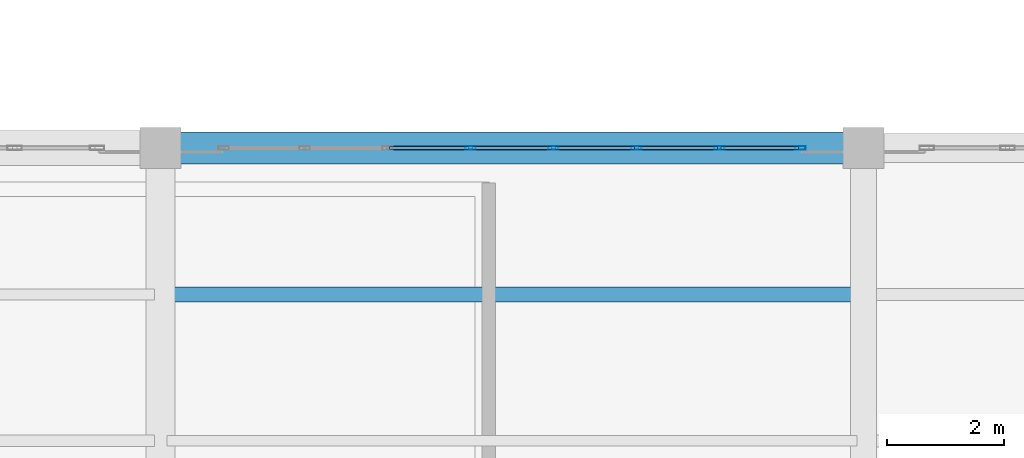
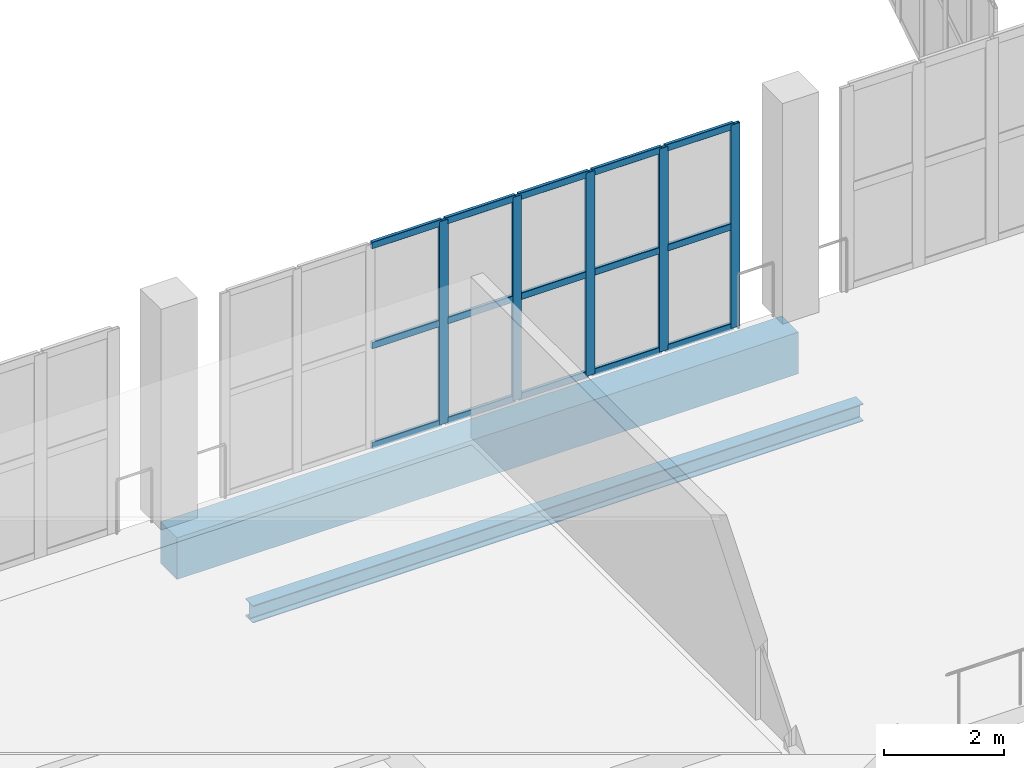
# One storey, part 20 of 108: 20 members, 2 beams, 1 element without a shape of its own.
"""IFC4 building model written with IfcOpenShell, lengths in metres."""

import ifcopenshell
import ifcopenshell.guid

model = None  # the IFC model being written
_history = None  # IfcOwnerHistory: only IFC2X3 demands one
_inside = {}  # id of a spatial element -> (the spatial element, [elements in it])
_under = {}  # id of a project, library or spatial element -> (it, [spatial elements below it])
_declared = {}  # id of a project -> (the project, [libraries it declares])
_typed = {}  # id of a type object -> (the type object, [elements of that type])
_made_of = {}  # id of a material, layer set ... -> (it, [elements and type objects made of it])


def new_model(schema):
    """Start an empty IFC model of exactly this schema.

    Asked for "IFC4X3", IfcOpenShell would pick the latest addendum, in which some entities
    have other attributes; the version numbers below select the first issue.
    IFC2X3 requires an IfcOwnerHistory on every rooted entity: one is made here for all.
    """
    global model, _history
    if schema == "IFC4X3":
        model = ifcopenshell.file(schema_version=(4, 3, 0, 0))
    else:
        model = ifcopenshell.file(schema=schema)
    _inside.clear()
    _under.clear()
    _declared.clear()
    _typed.clear()
    _made_of.clear()
    _history = None
    if model.schema == "IFC2X3":
        org = make("IfcOrganization", Name="unknown")
        user = make(
            "IfcPersonAndOrganization",
            ThePerson=make("IfcPerson", FamilyName="unknown"),
            TheOrganization=org,
        )
        app = make(
            "IfcApplication",
            ApplicationDeveloper=org,
            Version="unknown",
            ApplicationFullName="unknown",
            ApplicationIdentifier="unknown",
        )
        _history = make(
            "IfcOwnerHistory",
            OwningUser=user,
            OwningApplication=app,
            ChangeAction="ADDED",
            CreationDate=0,
        )
    return model


def make(cls, **values):
    """One entity of the class cls with the attributes given. An attribute that is None is left unset."""
    return model.create_entity(
        cls, **{name: value for name, value in values.items() if value is not None}
    )


def rooted(cls, **values):
    """An entity with a GlobalId (a new one), such as an element, a storey or a relation."""
    return make(cls, GlobalId=ifcopenshell.guid.new(), OwnerHistory=_history, **values)


def si_unit(unit_type, name, prefix=None):
    """IfcSIUnit, for example si_unit("LENGTHUNIT", "METRE", prefix="MILLI")."""
    return make("IfcSIUnit", UnitType=unit_type, Prefix=prefix, Name=name)


def assignment(units):
    """IfcUnitAssignment: the units of a project."""
    return None if units is None else make("IfcUnitAssignment", Units=units)


def point(xyz):
    """IfcCartesianPoint."""
    return None if xyz is None else make("IfcCartesianPoint", Coordinates=xyz)


def direction(xyz):
    """IfcDirection."""
    return None if xyz is None else make("IfcDirection", DirectionRatios=xyz)


def frame(location, z_axis=None, x_axis=None):
    """IfcAxis2Placement3D, a coordinate frame: its origin and axes. An axis left out is left unset."""
    return make(
        "IfcAxis2Placement3D",
        Location=point(location),
        Axis=direction(z_axis),
        RefDirection=direction(x_axis),
    )


def frame_2d(location, x_axis=None):
    """IfcAxis2Placement2D, a coordinate frame in the plane: its origin and x axis."""
    return make(
        "IfcAxis2Placement2D", Location=point(location), RefDirection=direction(x_axis)
    )


def origin():
    """The frame at (0, 0, 0) with its axes left unset."""
    return frame((0.0, 0.0, 0.0))


def origin_2d():
    """The frame at (0, 0) in the plane with its x axis left unset."""
    return frame_2d((0.0, 0.0))


def place(relative_to, where):
    """IfcLocalPlacement: puts the frame where relative to a parent placement (None: the world)."""
    return make(
        "IfcLocalPlacement", PlacementRelTo=relative_to, RelativePlacement=where
    )


def context(
    kind, dimensions, precision=None, world=None, true_north=None, identifier=None
):
    """IfcGeometricRepresentationContext, for example the 3D "Model" context."""
    return make(
        "IfcGeometricRepresentationContext",
        ContextIdentifier=identifier,
        ContextType=kind,
        CoordinateSpaceDimension=dimensions,
        Precision=precision,
        WorldCoordinateSystem=world,
        TrueNorth=true_north,
    )


def subcontext(parent, identifier, kind, view, scale=None):
    """IfcGeometricRepresentationSubContext, for example "Body" below "Model"."""
    return make(
        "IfcGeometricRepresentationSubContext",
        ContextIdentifier=identifier,
        ContextType=kind,
        ParentContext=parent,
        TargetScale=scale,
        TargetView=view,
    )


def project(units=None, contexts=None):
    """IfcProject with its units and contexts."""
    return rooted(
        "IfcProject",
        Name="project",
        RepresentationContexts=contexts,
        UnitsInContext=assignment(units),
    )


def spatial(cls, under=None, at=None, **own):
    """A site, building, storey or space (cls), placed at a placement, below another one or the project."""
    s = rooted(cls, ObjectPlacement=at, **own)
    if under is not None:
        _under.setdefault(under.id(), (under, []))[1].append(s)
    return s


def profile(cls, at=None, kind="AREA", **sizes):
    """A parametric profile (cls). Its sizes go by their IFC names, for example OverallWidth=200.0."""
    return make(cls, ProfileType=kind, Position=at, **sizes)


def rectangle(**sizes):
    """IfcRectangleProfileDef."""
    return profile("IfcRectangleProfileDef", **sizes)


def hollow_rectangle(**sizes):
    """IfcRectangleHollowProfileDef."""
    return profile("IfcRectangleHollowProfileDef", **sizes)


def i_section(**sizes):
    """IfcIShapeProfileDef."""
    return profile("IfcIShapeProfileDef", **sizes)


def extrude(swept, where, along, depth):
    """IfcExtrudedAreaSolid: the profile swept, set in the frame where, extruded along a direction by depth."""
    return make(
        "IfcExtrudedAreaSolid",
        SweptArea=swept,
        Position=where,
        ExtrudedDirection=direction(along),
        Depth=depth,
    )


def shape(context_of_items, identifier, shape_type, items):
    """IfcShapeRepresentation: the items that make up one representation, for example the "Body"."""
    return make(
        "IfcShapeRepresentation",
        ContextOfItems=context_of_items,
        RepresentationIdentifier=identifier,
        RepresentationType=shape_type,
        Items=items,
    )


def material(Name=None, Category=None):
    """IfcMaterial."""
    return make("IfcMaterial", Name=Name, Category=Category)


def layer(
    of_material, thickness, ventilated=None, Name=None, Category=None, Priority=None
):
    """IfcMaterialLayer: one layer of a wall or slab, of a material (None: an air gap)."""
    return make(
        "IfcMaterialLayer",
        Material=of_material,
        LayerThickness=thickness,
        IsVentilated=ventilated,
        Name=Name,
        Category=Category,
        Priority=Priority,
    )


def layer_set(layers, Name=None):
    """IfcMaterialLayerSet."""
    return make("IfcMaterialLayerSet", MaterialLayers=layers, LayerSetName=Name)


def material_profile(
    of_material, cross_section, Name=None, Category=None, Priority=None
):
    """IfcMaterialProfile: a cross section and its material."""
    return make(
        "IfcMaterialProfile",
        Name=Name,
        Material=of_material,
        Profile=cross_section,
        Priority=Priority,
        Category=Category,
    )


def profile_set(profiles, Name=None, composite=None):
    """IfcMaterialProfileSet."""
    return make(
        "IfcMaterialProfileSet",
        Name=Name,
        MaterialProfiles=profiles,
        CompositeProfile=composite,
    )


def made_of(thing, what):
    """Note that an element or type object is made of a material, layer set ...; save() writes the relation."""
    if what is not None:
        _made_of.setdefault(what.id(), (what, []))[1].append(thing)
    return thing


def type_object(cls, material=None, **own):
    """A type object (cls), such as IfcWallType, which elements share."""
    return made_of(rooted(cls, **own), material)


def element(
    cls,
    number,
    at=None,
    inside=None,
    cuts=None,
    type_object=None,
    material=None,
    context=None,
    identifier="Body",
    shape_type=None,
    held_by="IfcProductDefinitionShape",
    body=None,
    shapes=None,
    **own,
):
    """One element of the class cls, such as IfcWall. Its Tag is "e" and its number.

    at: its placement. inside: the storey or other place that contains it. cuts: it is an
    opening in that element (IfcRelVoidsElement). A single representation is given by context,
    identifier, shape_type and body (its items); several are given by shapes. held_by: the class
    of the entity that holds the representations. save() writes the other relations.
    """
    e = rooted(cls, Tag="e%d" % number, ObjectPlacement=at, **own)
    if body is not None:
        shapes = [shape(context, identifier, shape_type, body)]
    if shapes is not None:
        e.Representation = make(held_by, Representations=shapes)
    if inside is not None:
        _inside.setdefault(inside.id(), (inside, []))[1].append(e)
    if cuts is not None:
        rooted(
            "IfcRelVoidsElement", RelatingBuildingElement=cuts, RelatedOpeningElement=e
        )
    if type_object is not None:
        _typed.setdefault(type_object.id(), (type_object, []))[1].append(e)
    return made_of(e, material)


def aggregate(whole, parts):
    """IfcRelAggregates: a whole, such as a stair, and the parts it consists of."""
    return rooted("IfcRelAggregates", RelatingObject=whole, RelatedObjects=parts)


def save(model, path):
    """Write the relations noted so far, then the file.

    IfcRelAggregates (storeys below a building ...), IfcRelContainedInSpatialStructure (elements
    in a storey), IfcRelDefinesByType, IfcRelAssociatesMaterial and IfcRelDeclares: one each for
    every whole, place, type object, material and project.
    """
    for whole, parts in _under.values():
        aggregate(whole, parts)
    for where, things in _inside.values():
        rooted(
            "IfcRelContainedInSpatialStructure",
            RelatedElements=things,
            RelatingStructure=where,
        )
    for kind, things in _typed.values():
        rooted("IfcRelDefinesByType", RelatedObjects=things, RelatingType=kind)
    for what, things in _made_of.values():
        rooted("IfcRelAssociatesMaterial", RelatedObjects=things, RelatingMaterial=what)
    for by, libraries in _declared.values():
        rooted("IfcRelDeclares", RelatingContext=by, RelatedDefinitions=libraries)
    model.write(path)


model = new_model("IFC4")

# Units and contexts
model_context = context("Model", 3, precision=1e-05, world=origin(), true_north=direction((0.0, 1.0)))
body_context = subcontext(model_context, "Body", "Model", "MODEL_VIEW")
ifc_project = project(units=[si_unit("LENGTHUNIT", "METRE"), si_unit("AREAUNIT", "SQUARE_METRE"), si_unit("VOLUMEUNIT", "CUBIC_METRE"), si_unit("PLANEANGLEUNIT", "RADIAN"), si_unit("MASSUNIT", "GRAM", prefix="KILO")], contexts=[model_context])

# Site, building, storey
site_placement = place(None, origin())
site = spatial("IfcSite", under=ifc_project, at=site_placement, CompositionType="ELEMENT")
building_placement = place(site_placement, origin())
building = spatial("IfcBuilding", under=site, at=building_placement, Name="Brinegate Civic Arena", CompositionType="ELEMENT")
storey_placement = place(building_placement, frame((0.0, 0.0, 10.199951171875)))
storey = spatial("IfcBuildingStorey", under=building, at=storey_placement, Name="L02", CompositionType="ELEMENT", Elevation=10.199951171875)

# Curtain wall, members
ifc_material_1 = material(Name="Marine grade aluminium", Category="aluminium")
ifc_layer = layer(ifc_material_1, 0.18505859375, Name="Marine grade aluminium")
ifc_layer_set = layer_set([ifc_layer], Name="Marine grade aluminium")
curtain_wall_type = type_object("IfcCurtainWallType", Name="CW-WING-GLAZED-03", PredefinedType="USERDEFINED", material=ifc_layer_set)
curtain_wall_placement = place(storey_placement, origin())
curtain_wall = element("IfcCurtainWall", 1, at=curtain_wall_placement, inside=storey, type_object=curtain_wall_type, Name="Curtain Wall CWA-022", ObjectType="GLAZED CURTAIN WALL", PredefinedType="USERDEFINED")
ifc_material_profile_1 = material_profile(ifc_material_1, hollow_rectangle(XDim=0.06494140625, YDim=0.179931640625, WallThickness=0.0048828125, InnerFilletRadius=0.00390625, OuterFilletRadius=0.008056640625, at=origin_2d()), Name="MUL65X180")
ifc_profile_set_1 = profile_set([ifc_material_profile_1], Name="Marine grade aluminium")
member_type_1 = type_object("IfcMemberType", Name="CW-MULLION-65X180", PredefinedType="MULLION", material=ifc_profile_set_1)
member_1_placement = place(storey_placement, frame((17.292236328125, 52.0, 0.0), z_axis=(0.0, 0.0, 1.0), x_axis=(0.0, 1.0, 0.0)))
member_1 = element("IfcMember", 2, at=member_1_placement, type_object=member_type_1, Name="CWA-022 mullion 4", PredefinedType="MULLION", context=body_context, shape_type="SweptSolid", body=[
    extrude(hollow_rectangle(XDim=0.06494140625, YDim=0.179931640625, WallThickness=0.0048828125, InnerFilletRadius=0.00390625, OuterFilletRadius=0.008056640625, at=origin_2d()), origin(), (0.0, 0.0, 1.0), 4.150146484375),
])
member_2_placement = place(storey_placement, frame((18.707763671875, 52.0, 0.0), z_axis=(0.0, 0.0, 1.0), x_axis=(0.0, 1.0, 0.0)))
member_2 = element("IfcMember", 3, at=member_2_placement, type_object=member_type_1, Name="CWA-022 mullion 5", PredefinedType="MULLION", context=body_context, shape_type="SweptSolid", body=[
    extrude(hollow_rectangle(XDim=0.06494140625, YDim=0.179931640625, WallThickness=0.0048828125, InnerFilletRadius=0.00390625, OuterFilletRadius=0.008056640625, at=origin_2d()), origin(), (0.0, 0.0, 1.0), 4.150146484375),
])
member_3_placement = place(storey_placement, frame((20.12353515625, 52.0, 0.0), z_axis=(0.0, 0.0, 1.0), x_axis=(0.0, 1.0, 0.0)))
member_3 = element("IfcMember", 4, at=member_3_placement, type_object=member_type_1, Name="CWA-022 mullion 6", PredefinedType="MULLION", context=body_context, shape_type="SweptSolid", body=[
    extrude(hollow_rectangle(XDim=0.06494140625, YDim=0.179931640625, WallThickness=0.0048828125, InnerFilletRadius=0.00390625, OuterFilletRadius=0.008056640625, at=origin_2d()), origin(), (0.0, 0.0, 1.0), 4.150146484375),
])
member_4_placement = place(storey_placement, frame((21.539306640625, 52.0, 0.0), z_axis=(0.0, 0.0, 1.0), x_axis=(0.0, 1.0, 0.0)))
member_4 = element("IfcMember", 5, at=member_4_placement, type_object=member_type_1, Name="CWA-022 mullion 7", PredefinedType="MULLION", context=body_context, shape_type="SweptSolid", body=[
    extrude(hollow_rectangle(XDim=0.06494140625, YDim=0.179931640625, WallThickness=0.0048828125, InnerFilletRadius=0.00390625, OuterFilletRadius=0.008056640625, at=origin_2d()), origin(), (0.0, 0.0, 1.0), 4.150146484375),
])
member_5_placement = place(storey_placement, frame((22.922607421875, 52.0, 0.0), z_axis=(0.0, 0.0, 1.0), x_axis=(0.0, 1.0, 0.0)))
member_5 = element("IfcMember", 6, at=member_5_placement, type_object=member_type_1, Name="CWA-022 mullion 8", PredefinedType="MULLION", context=body_context, shape_type="SweptSolid", body=[
    extrude(hollow_rectangle(XDim=0.06494140625, YDim=0.179931640625, WallThickness=0.0048828125, InnerFilletRadius=0.00390625, OuterFilletRadius=0.008056640625, at=origin_2d()), origin(), (0.0, 0.0, 1.0), 4.150146484375),
])
ifc_material_profile_2 = material_profile(ifc_material_1, hollow_rectangle(XDim=0.06494140625, YDim=0.139892578125, WallThickness=0.0048828125, InnerFilletRadius=0.00390625, OuterFilletRadius=0.008056640625, at=origin_2d()), Name="TRN65X140")
ifc_profile_set_2 = profile_set([ifc_material_profile_2], Name="Marine grade aluminium")
member_type_2 = type_object("IfcMemberType", Name="CW-TRANSOM-65X140", PredefinedType="USERDEFINED", material=ifc_profile_set_2)
member_6_placement = place(storey_placement, frame((15.908935546875, 52.0, 0.032470703125), z_axis=(1.0, 0.0, 0.0), x_axis=(0.0, 1.0, 0.0)))
member_6 = element("IfcMember", 7, at=member_6_placement, type_object=member_type_2, Name="CWA-022 transom 3.1", ObjectType="TRANSOM", PredefinedType="USERDEFINED", context=body_context, shape_type="SweptSolid", body=[
    extrude(hollow_rectangle(XDim=0.06494140625, YDim=0.139892578125, WallThickness=0.0048828125, InnerFilletRadius=0.00390625, OuterFilletRadius=0.008056640625, at=origin_2d()), origin(), (0.0, 0.0, 1.0), 1.3505859375),
])
member_7_placement = place(storey_placement, frame((15.908935546875, 52.0, 2.074951171875), z_axis=(1.0, 0.0, 0.0), x_axis=(0.0, 1.0, 0.0)))
member_7 = element("IfcMember", 8, at=member_7_placement, type_object=member_type_2, Name="CWA-022 transom 3.2", ObjectType="TRANSOM", PredefinedType="USERDEFINED", context=body_context, shape_type="SweptSolid", body=[
    extrude(hollow_rectangle(XDim=0.06494140625, YDim=0.139892578125, WallThickness=0.0048828125, InnerFilletRadius=0.00390625, OuterFilletRadius=0.008056640625, at=origin_2d()), origin(), (0.0, 0.0, 1.0), 1.3505859375),
])
member_8_placement = place(storey_placement, frame((15.908935546875, 52.0, 4.117431640625), z_axis=(1.0, 0.0, 0.0), x_axis=(0.0, 1.0, 0.0)))
member_8 = element("IfcMember", 9, at=member_8_placement, type_object=member_type_2, Name="CWA-022 transom 3.3", ObjectType="TRANSOM", PredefinedType="USERDEFINED", context=body_context, shape_type="SweptSolid", body=[
    extrude(hollow_rectangle(XDim=0.06494140625, YDim=0.139892578125, WallThickness=0.0048828125, InnerFilletRadius=0.00390625, OuterFilletRadius=0.008056640625, at=origin_2d()), origin(), (0.0, 0.0, 1.0), 1.3505859375),
])
member_9_placement = place(storey_placement, frame((17.32470703125, 52.0, 0.032470703125), z_axis=(1.0, 0.0, 0.0), x_axis=(0.0, 1.0, 0.0)))
member_9 = element("IfcMember", 10, at=member_9_placement, type_object=member_type_2, Name="CWA-022 transom 4.1", ObjectType="TRANSOM", PredefinedType="USERDEFINED", context=body_context, shape_type="SweptSolid", body=[
    extrude(hollow_rectangle(XDim=0.06494140625, YDim=0.139892578125, WallThickness=0.0048828125, InnerFilletRadius=0.00390625, OuterFilletRadius=0.008056640625, at=origin_2d()), origin(), (0.0, 0.0, 1.0), 1.3505859375),
])
member_10_placement = place(storey_placement, frame((17.32470703125, 52.0, 2.074951171875), z_axis=(1.0, 0.0, 0.0), x_axis=(0.0, 1.0, 0.0)))
member_10 = element("IfcMember", 11, at=member_10_placement, type_object=member_type_2, Name="CWA-022 transom 4.2", ObjectType="TRANSOM", PredefinedType="USERDEFINED", context=body_context, shape_type="SweptSolid", body=[
    extrude(hollow_rectangle(XDim=0.06494140625, YDim=0.139892578125, WallThickness=0.0048828125, InnerFilletRadius=0.00390625, OuterFilletRadius=0.008056640625, at=origin_2d()), origin(), (0.0, 0.0, 1.0), 1.3505859375),
])
member_11_placement = place(storey_placement, frame((17.32470703125, 52.0, 4.117431640625), z_axis=(1.0, 0.0, 0.0), x_axis=(0.0, 1.0, 0.0)))
member_11 = element("IfcMember", 12, at=member_11_placement, type_object=member_type_2, Name="CWA-022 transom 4.3", ObjectType="TRANSOM", PredefinedType="USERDEFINED", context=body_context, shape_type="SweptSolid", body=[
    extrude(hollow_rectangle(XDim=0.06494140625, YDim=0.139892578125, WallThickness=0.0048828125, InnerFilletRadius=0.00390625, OuterFilletRadius=0.008056640625, at=origin_2d()), origin(), (0.0, 0.0, 1.0), 1.3505859375),
])
member_12_placement = place(storey_placement, frame((18.740478515625, 52.0, 0.032470703125), z_axis=(1.0, 0.0, 0.0), x_axis=(0.0, 1.0, 0.0)))
member_12 = element("IfcMember", 13, at=member_12_placement, type_object=member_type_2, Name="CWA-022 transom 5.1", ObjectType="TRANSOM", PredefinedType="USERDEFINED", context=body_context, shape_type="SweptSolid", body=[
    extrude(hollow_rectangle(XDim=0.06494140625, YDim=0.139892578125, WallThickness=0.0048828125, InnerFilletRadius=0.00390625, OuterFilletRadius=0.008056640625, at=origin_2d()), origin(), (0.0, 0.0, 1.0), 1.3505859375),
])
member_13_placement = place(storey_placement, frame((18.740478515625, 52.0, 2.074951171875), z_axis=(1.0, 0.0, 0.0), x_axis=(0.0, 1.0, 0.0)))
member_13 = element("IfcMember", 14, at=member_13_placement, type_object=member_type_2, Name="CWA-022 transom 5.2", ObjectType="TRANSOM", PredefinedType="USERDEFINED", context=body_context, shape_type="SweptSolid", body=[
    extrude(hollow_rectangle(XDim=0.06494140625, YDim=0.139892578125, WallThickness=0.0048828125, InnerFilletRadius=0.00390625, OuterFilletRadius=0.008056640625, at=origin_2d()), origin(), (0.0, 0.0, 1.0), 1.3505859375),
])
member_14_placement = place(storey_placement, frame((18.740478515625, 52.0, 4.117431640625), z_axis=(1.0, 0.0, 0.0), x_axis=(0.0, 1.0, 0.0)))
member_14 = element("IfcMember", 15, at=member_14_placement, type_object=member_type_2, Name="CWA-022 transom 5.3", ObjectType="TRANSOM", PredefinedType="USERDEFINED", context=body_context, shape_type="SweptSolid", body=[
    extrude(hollow_rectangle(XDim=0.06494140625, YDim=0.139892578125, WallThickness=0.0048828125, InnerFilletRadius=0.00390625, OuterFilletRadius=0.008056640625, at=origin_2d()), origin(), (0.0, 0.0, 1.0), 1.3505859375),
])
member_15_placement = place(storey_placement, frame((20.156005859375, 52.0, 0.032470703125), z_axis=(1.0, 0.0, 0.0), x_axis=(0.0, 1.0, 0.0)))
member_15 = element("IfcMember", 16, at=member_15_placement, type_object=member_type_2, Name="CWA-022 transom 6.1", ObjectType="TRANSOM", PredefinedType="USERDEFINED", context=body_context, shape_type="SweptSolid", body=[
    extrude(hollow_rectangle(XDim=0.06494140625, YDim=0.139892578125, WallThickness=0.0048828125, InnerFilletRadius=0.00390625, OuterFilletRadius=0.008056640625, at=origin_2d()), origin(), (0.0, 0.0, 1.0), 1.350830078125),
])
member_16_placement = place(storey_placement, frame((20.156005859375, 52.0, 2.074951171875), z_axis=(1.0, 0.0, 0.0), x_axis=(0.0, 1.0, 0.0)))
member_16 = element("IfcMember", 17, at=member_16_placement, type_object=member_type_2, Name="CWA-022 transom 6.2", ObjectType="TRANSOM", PredefinedType="USERDEFINED", context=body_context, shape_type="SweptSolid", body=[
    extrude(hollow_rectangle(XDim=0.06494140625, YDim=0.139892578125, WallThickness=0.0048828125, InnerFilletRadius=0.00390625, OuterFilletRadius=0.008056640625, at=origin_2d()), origin(), (0.0, 0.0, 1.0), 1.350830078125),
])
member_17_placement = place(storey_placement, frame((20.156005859375, 52.0, 4.117431640625), z_axis=(1.0, 0.0, 0.0), x_axis=(0.0, 1.0, 0.0)))
member_17 = element("IfcMember", 18, at=member_17_placement, type_object=member_type_2, Name="CWA-022 transom 6.3", ObjectType="TRANSOM", PredefinedType="USERDEFINED", context=body_context, shape_type="SweptSolid", body=[
    extrude(hollow_rectangle(XDim=0.06494140625, YDim=0.139892578125, WallThickness=0.0048828125, InnerFilletRadius=0.00390625, OuterFilletRadius=0.008056640625, at=origin_2d()), origin(), (0.0, 0.0, 1.0), 1.350830078125),
])
member_18_placement = place(storey_placement, frame((21.57177734375, 52.0, 0.032470703125), z_axis=(1.0, 0.0, 0.0), x_axis=(0.0, 1.0, 0.0)))
member_18 = element("IfcMember", 19, at=member_18_placement, type_object=member_type_2, Name="CWA-022 transom 7.1", ObjectType="TRANSOM", PredefinedType="USERDEFINED", context=body_context, shape_type="SweptSolid", body=[
    extrude(hollow_rectangle(XDim=0.06494140625, YDim=0.139892578125, WallThickness=0.0048828125, InnerFilletRadius=0.00390625, OuterFilletRadius=0.008056640625, at=origin_2d()), origin(), (0.0, 0.0, 1.0), 1.318115234375),
])
member_19_placement = place(storey_placement, frame((21.57177734375, 52.0, 2.074951171875), z_axis=(1.0, 0.0, 0.0), x_axis=(0.0, 1.0, 0.0)))
member_19 = element("IfcMember", 20, at=member_19_placement, type_object=member_type_2, Name="CWA-022 transom 7.2", ObjectType="TRANSOM", PredefinedType="USERDEFINED", context=body_context, shape_type="SweptSolid", body=[
    extrude(hollow_rectangle(XDim=0.06494140625, YDim=0.139892578125, WallThickness=0.0048828125, InnerFilletRadius=0.00390625, OuterFilletRadius=0.008056640625, at=origin_2d()), origin(), (0.0, 0.0, 1.0), 1.318115234375),
])
member_20_placement = place(storey_placement, frame((21.57177734375, 52.0, 4.117431640625), z_axis=(1.0, 0.0, 0.0), x_axis=(0.0, 1.0, 0.0)))
member_20 = element("IfcMember", 21, at=member_20_placement, type_object=member_type_2, Name="CWA-022 transom 7.3", ObjectType="TRANSOM", PredefinedType="USERDEFINED", context=body_context, shape_type="SweptSolid", body=[
    extrude(hollow_rectangle(XDim=0.06494140625, YDim=0.139892578125, WallThickness=0.0048828125, InnerFilletRadius=0.00390625, OuterFilletRadius=0.008056640625, at=origin_2d()), origin(), (0.0, 0.0, 1.0), 1.318115234375),
])
aggregate(curtain_wall, [member_1, member_2, member_3, member_4, member_5, member_6, member_7, member_8, member_9, member_10, member_11, member_12, member_13, member_14, member_15, member_16, member_17, member_18, member_19, member_20])

# Beams
ifc_material_2 = material(Name="Steel S355", Category="steel")
ifc_material_profile_3 = material_profile(ifc_material_2, i_section(OverallWidth=0.25390625, OverallDepth=0.35302734375, WebThickness=0.010009765625, FlangeThickness=0.01611328125, FilletRadius=0.013916015625, at=origin_2d()), Name="W360X91")
ifc_profile_set_3 = profile_set([ifc_material_profile_3], Name="Steel S355")
beam_type_1 = type_object("IfcBeamType", Name="JOIST-W360X91", PredefinedType="JOIST", material=ifc_profile_set_3)
beam_1_placement = place(storey_placement, frame((12.10595703125, 49.5, -0.505859375), z_axis=(1.0, 0.0, 0.0), x_axis=(0.0, 1.0, 0.0)))
element("IfcBeam", 22, at=beam_1_placement, inside=storey, type_object=beam_type_1, Name="Secondary Joist BM-L02-JX-01-04-3", PredefinedType="JOIST", context=body_context, shape_type="SweptSolid", body=[
    extrude(i_section(OverallWidth=0.25390625, OverallDepth=0.35302734375, WebThickness=0.010009765625, FlangeThickness=0.01611328125, FilletRadius=0.013916015625, at=origin_2d()), origin(), (0.0, 0.0, 1.0), 11.7880859375),
])
ifc_material_3 = material(Name="Concrete C50/60", Category="concrete")
ifc_material_profile_4 = material_profile(ifc_material_3, rectangle(XDim=0.550048828125, YDim=0.85009765625, at=origin_2d()), Name="RCB550X850")
ifc_profile_set_4 = profile_set([ifc_material_profile_4], Name="Concrete C50/60")
beam_type_2 = type_object("IfcBeamType", Name="RCG-550X850", PredefinedType="BEAM", material=ifc_profile_set_4)
beam_2_placement = place(storey_placement, frame((12.0, 52.0, -0.7548828125), z_axis=(1.0, 0.0, 0.0), x_axis=(0.0, 1.0, 0.0)))
element("IfcBeam", 23, at=beam_2_placement, inside=storey, type_object=beam_type_2, Name="Floor Girder BM-L02-GX-01-05", PredefinedType="BEAM", context=body_context, shape_type="SweptSolid", body=[
    extrude(rectangle(XDim=0.550048828125, YDim=0.85009765625, at=origin_2d()), origin(), (0.0, 0.0, 1.0), 12.0),
])

save(model, "model.ifc")
